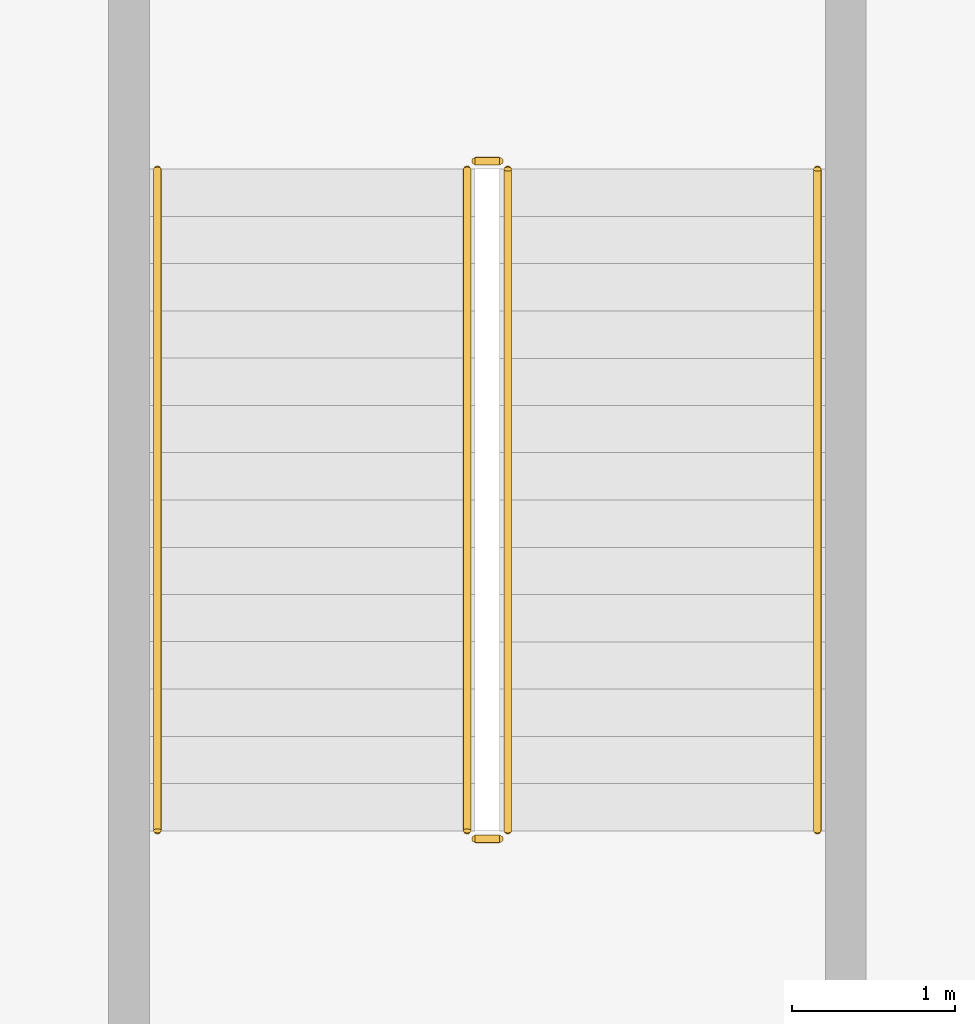
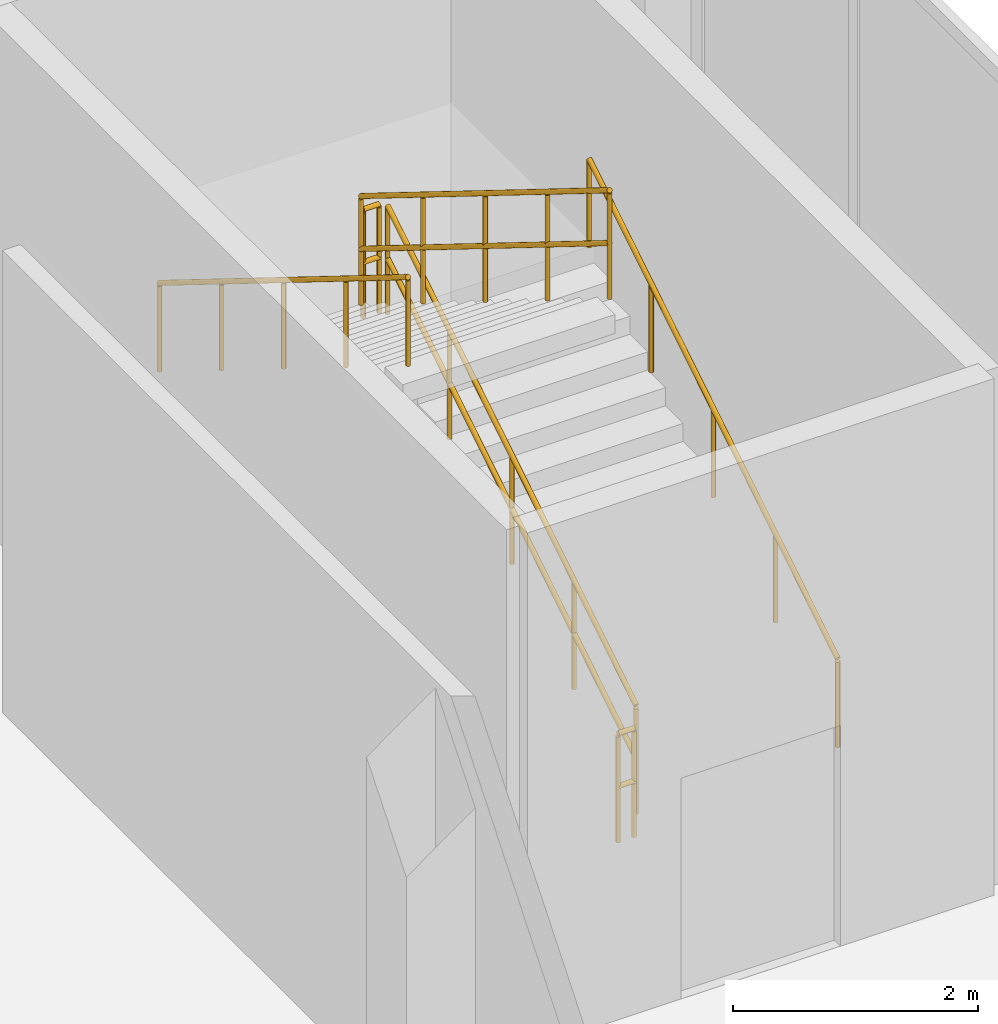
# One storey, part 117 of 127: 6 railings.
"""IFC4 building model written with IfcOpenShell, lengths in metres."""

from ifc_helpers import new_model, si_unit, direction, frame, origin, origin_2d, place, context, subcontext, project, spatial, circle, extrude, material, layer, layer_set, type_object, element, save


model = new_model("IFC4")

# Units and contexts
model_context = context("Model", 3, precision=1e-05, world=origin(), true_north=direction((0.0, 1.0)))
body_context = subcontext(model_context, "Body", "Model", "MODEL_VIEW")
ifc_project = project(units=[si_unit("LENGTHUNIT", "METRE"), si_unit("AREAUNIT", "SQUARE_METRE"), si_unit("VOLUMEUNIT", "CUBIC_METRE"), si_unit("PLANEANGLEUNIT", "RADIAN"), si_unit("MASSUNIT", "GRAM", prefix="KILO")], contexts=[model_context])

# Site, building, storey
site_placement = place(None, origin())
site = spatial("IfcSite", under=ifc_project, at=site_placement, CompositionType="ELEMENT")
building_placement = place(site_placement, origin())
building = spatial("IfcBuilding", under=site, at=building_placement, Name="Candeia Ridge Stadium", CompositionType="ELEMENT")
storey_placement = place(building_placement, frame((0.0, 0.0, 10.800048828125)))
storey = spatial("IfcBuildingStorey", under=building, at=storey_placement, Name="L02", CompositionType="ELEMENT", Elevation=10.800048828125)

# Railings
ifc_material_1 = material(Name="Brushed Stainless Steel", Category="steel")
ifc_layer_1 = layer(ifc_material_1, 0.048095703125, Name="Brushed Stainless Steel", Category="steel")
ifc_layer_set_1 = layer_set([ifc_layer_1], Name="Brushed Stainless Steel")
railing_type_1 = type_object("IfcRailingType", Name="Stair Wall & Flight Handrail 900", PredefinedType="HANDRAIL", material=ifc_layer_set_1)
railing_1_placement = place(storey_placement, frame((208.449951171875, 69.0, 0.179931640625)))
element("IfcRailing", 1, at=railing_1_placement, inside=storey, type_object=railing_type_1, Name="L02 ST16 stair handrail 1", PredefinedType="HANDRAIL", context=body_context, shape_type="SweptSolid", body=[
    extrude(circle(Radius=0.02392578125, at=origin_2d()), frame((0.0, 0.0, 0.8759765625), z_axis=(0.0, 0.849641744969, 0.527360318194), x_axis=(-1.0, 0.0, 0.0)), (0.0, 0.0, 1.0), 4.778564453125),
    extrude(circle(Radius=0.02099609375, at=origin_2d()), origin(), (0.0, 0.0, 1.0), 0.851806640625),
    extrude(circle(Radius=0.02099609375, at=origin_2d()), frame((0.0, 1.01513671875, 0.6298828125)), (0.0, 0.0, 1.0), 0.851806640625),
    extrude(circle(Radius=0.02099609375, at=origin_2d()), frame((0.0, 2.030029296875, 1.260009765625)), (0.0, 0.0, 1.0), 0.851806640625),
    extrude(circle(Radius=0.02099609375, at=origin_2d()), frame((0.0, 3.044921875, 1.89013671875)), (0.0, 0.0, 1.0), 0.851806640625),
    extrude(circle(Radius=0.02099609375, at=origin_2d()), frame((0.0, 4.06005859375, 2.52001953125)), (0.0, 0.0, 1.0), 0.851806640625),
])
railing_2_placement = place(storey_placement, frame((204.39990234375, 73.06005859375, 2.8798828125)))
element("IfcRailing", 2, at=railing_2_placement, inside=storey, type_object=railing_type_1, Name="L02 ST16 stair handrail 2", PredefinedType="HANDRAIL", context=body_context, shape_type="SweptSolid", body=[
    extrude(circle(Radius=0.02392578125, at=origin_2d()), frame((0.0, 0.0, 0.8759765625), z_axis=(0.0, -0.849641744969, 0.527360318194), x_axis=(1.0, 0.0, 0.0)), (0.0, 0.0, 1.0), 4.778564453125),
    extrude(circle(Radius=0.02099609375, at=origin_2d()), origin(), (0.0, 0.0, 1.0), 0.851806640625),
    extrude(circle(Radius=0.02099609375, at=origin_2d()), frame((0.0, -1.01513671875, 0.6298828125)), (0.0, 0.0, 1.0), 0.851806640625),
    extrude(circle(Radius=0.02099609375, at=origin_2d()), frame((0.0, -2.030029296875, 1.260009765625)), (0.0, 0.0, 1.0), 0.851806640625),
    extrude(circle(Radius=0.02099609375, at=origin_2d()), frame((0.0, -3.044921875, 1.89013671875)), (0.0, 0.0, 1.0), 0.851806640625),
    extrude(circle(Radius=0.02099609375, at=origin_2d()), frame((0.0, -4.06005859375, 2.52001953125)), (0.0, 0.0, 1.0), 0.851806640625),
])
ifc_material_2 = material(Name="Galvanized Powder-Coated Steel", Category="steel")
ifc_layer_2 = layer(ifc_material_2, 0.06005859375, Name="Galvanized Powder-Coated Steel", Category="steel")
ifc_layer_set_2 = layer_set([ifc_layer_2], Name="Galvanized Powder-Coated Steel")
railing_type_2 = type_object("IfcRailingType", Name="Stair Well Guardrail 1100", PredefinedType="GUARDRAIL", material=ifc_layer_set_2)
railing_3_placement = place(storey_placement, frame((206.550048828125, 69.0, 0.179931640625)))
element("IfcRailing", 3, at=railing_3_placement, inside=storey, type_object=railing_type_2, Name="L02 ST16 stair guard 1", PredefinedType="GUARDRAIL", context=body_context, shape_type="SweptSolid", body=[
    extrude(circle(Radius=0.02392578125, at=origin_2d()), frame((0.0, 0.0, 1.076171875), z_axis=(0.0, 0.849641744969, 0.527360318194), x_axis=(-1.0, 0.0, 0.0)), (0.0, 0.0, 1.0), 4.778564453125),
    extrude(circle(Radius=0.02392578125, at=origin_2d()), frame((0.0, 0.0, 0.550048828125), z_axis=(0.0, 0.849641744969, 0.527360318194), x_axis=(-1.0, 0.0, 0.0)), (0.0, 0.0, 1.0), 4.778564453125),
    extrude(circle(Radius=0.02099609375, at=origin_2d()), origin(), (0.0, 0.0, 1.0), 1.052001953125),
    extrude(circle(Radius=0.02099609375, at=origin_2d()), frame((0.0, 1.01513671875, 0.6298828125)), (0.0, 0.0, 1.0), 1.052001953125),
    extrude(circle(Radius=0.02099609375, at=origin_2d()), frame((0.0, 2.030029296875, 1.260009765625)), (0.0, 0.0, 1.0), 1.052001953125),
    extrude(circle(Radius=0.02099609375, at=origin_2d()), frame((0.0, 3.044921875, 1.89013671875)), (0.0, 0.0, 1.0), 1.052001953125),
    extrude(circle(Radius=0.02099609375, at=origin_2d()), frame((0.0, 4.06005859375, 2.52001953125)), (0.0, 0.0, 1.0), 1.052001953125),
])
railing_4_placement = place(storey_placement, frame((206.5, 73.110107421875, 2.699951171875)))
element("IfcRailing", 4, at=railing_4_placement, inside=storey, type_object=railing_type_2, Name="L02 ST16 stair guard 2", PredefinedType="GUARDRAIL", context=body_context, shape_type="SweptSolid", body=[
    extrude(circle(Radius=0.02392578125, at=origin_2d()), frame((0.0, 0.0, 1.076171875), z_axis=(-1.0, 0.0, 0.0), x_axis=(0.0, -1.0, 0.0)), (0.0, 0.0, 1.0), 0.14990234375),
    extrude(circle(Radius=0.02392578125, at=origin_2d()), frame((0.0, 0.0, 0.550048828125), z_axis=(-1.0, 0.0, 0.0), x_axis=(0.0, -1.0, 0.0)), (0.0, 0.0, 1.0), 0.14990234375),
    extrude(circle(Radius=0.02099609375, at=origin_2d()), origin(), (0.0, 0.0, 1.0), 1.052001953125),
    extrude(circle(Radius=0.02099609375, at=origin_2d()), frame((-0.14990234375, 0.0, 0.0)), (0.0, 0.0, 1.0), 1.052001953125),
])
railing_5_placement = place(storey_placement, frame((206.300048828125, 73.06005859375, 2.8798828125)))
element("IfcRailing", 5, at=railing_5_placement, inside=storey, type_object=railing_type_2, Name="L02 ST16 stair guard 3", PredefinedType="GUARDRAIL", context=body_context, shape_type="SweptSolid", body=[
    extrude(circle(Radius=0.02392578125, at=origin_2d()), frame((0.0, 0.0, 1.076171875), z_axis=(0.0, -0.849641744969, 0.527360318194), x_axis=(1.0, 0.0, 0.0)), (0.0, 0.0, 1.0), 4.778564453125),
    extrude(circle(Radius=0.02392578125, at=origin_2d()), frame((0.0, 0.0, 0.550048828125), z_axis=(0.0, -0.849641744969, 0.527360318194), x_axis=(1.0, 0.0, 0.0)), (0.0, 0.0, 1.0), 4.778564453125),
    extrude(circle(Radius=0.02099609375, at=origin_2d()), origin(), (0.0, 0.0, 1.0), 1.052001953125),
    extrude(circle(Radius=0.02099609375, at=origin_2d()), frame((0.0, -1.01513671875, 0.6298828125)), (0.0, 0.0, 1.0), 1.052001953125),
    extrude(circle(Radius=0.02099609375, at=origin_2d()), frame((0.0, -2.030029296875, 1.260009765625)), (0.0, 0.0, 1.0), 1.052001953125),
    extrude(circle(Radius=0.02099609375, at=origin_2d()), frame((0.0, -3.044921875, 1.89013671875)), (0.0, 0.0, 1.0), 1.052001953125),
    extrude(circle(Radius=0.02099609375, at=origin_2d()), frame((0.0, -4.06005859375, 2.52001953125)), (0.0, 0.0, 1.0), 1.052001953125),
])
railing_6_placement = place(storey_placement, frame((206.5, 68.949951171875, 0.0)))
element("IfcRailing", 6, at=railing_6_placement, inside=storey, type_object=railing_type_2, Name="L02 ST16 stair guard 4", PredefinedType="GUARDRAIL", context=body_context, shape_type="SweptSolid", body=[
    extrude(circle(Radius=0.02392578125, at=origin_2d()), frame((0.0, 0.0, 1.076171875), z_axis=(-1.0, 0.0, 0.0), x_axis=(0.0, -1.0, 0.0)), (0.0, 0.0, 1.0), 0.14990234375),
    extrude(circle(Radius=0.02392578125, at=origin_2d()), frame((0.0, 0.0, 0.550048828125), z_axis=(-1.0, 0.0, 0.0), x_axis=(0.0, -1.0, 0.0)), (0.0, 0.0, 1.0), 0.14990234375),
    extrude(circle(Radius=0.02099609375, at=origin_2d()), origin(), (0.0, 0.0, 1.0), 1.052001953125),
    extrude(circle(Radius=0.02099609375, at=origin_2d()), frame((-0.14990234375, 0.0, 0.0)), (0.0, 0.0, 1.0), 1.052001953125),
])

save(model, "model.ifc")
